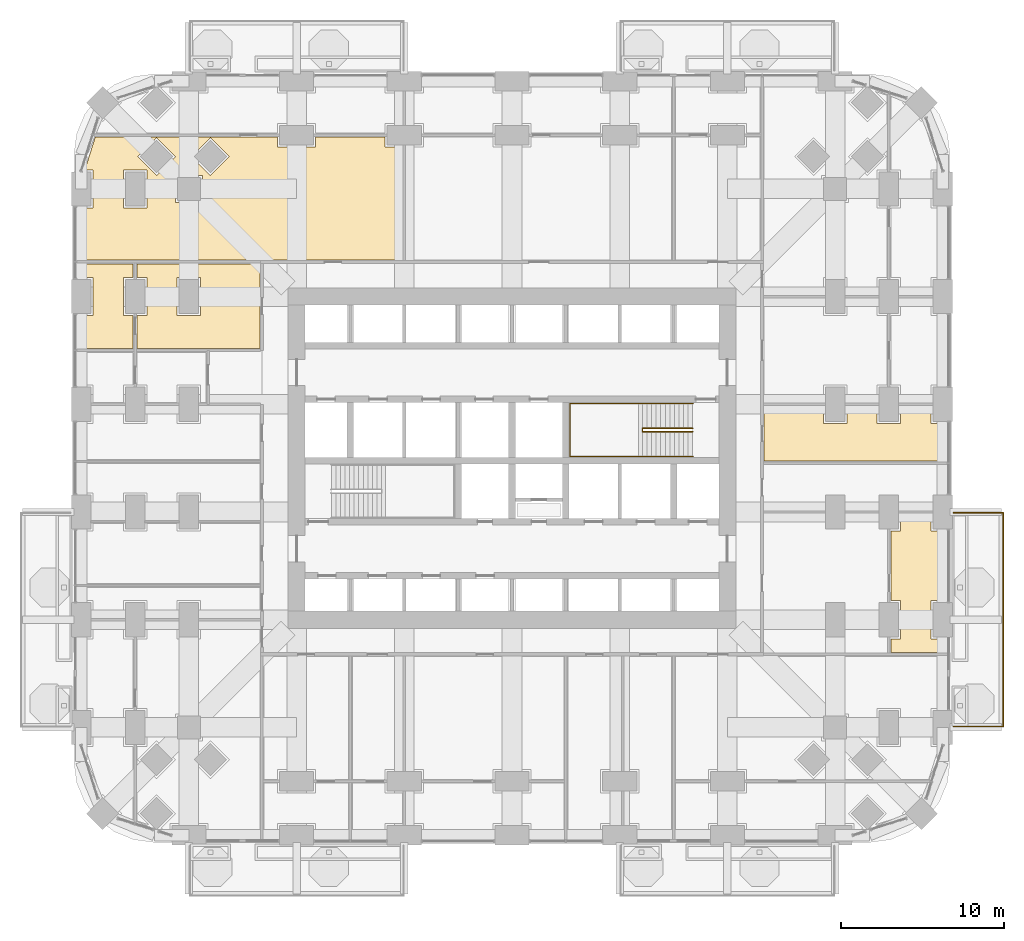
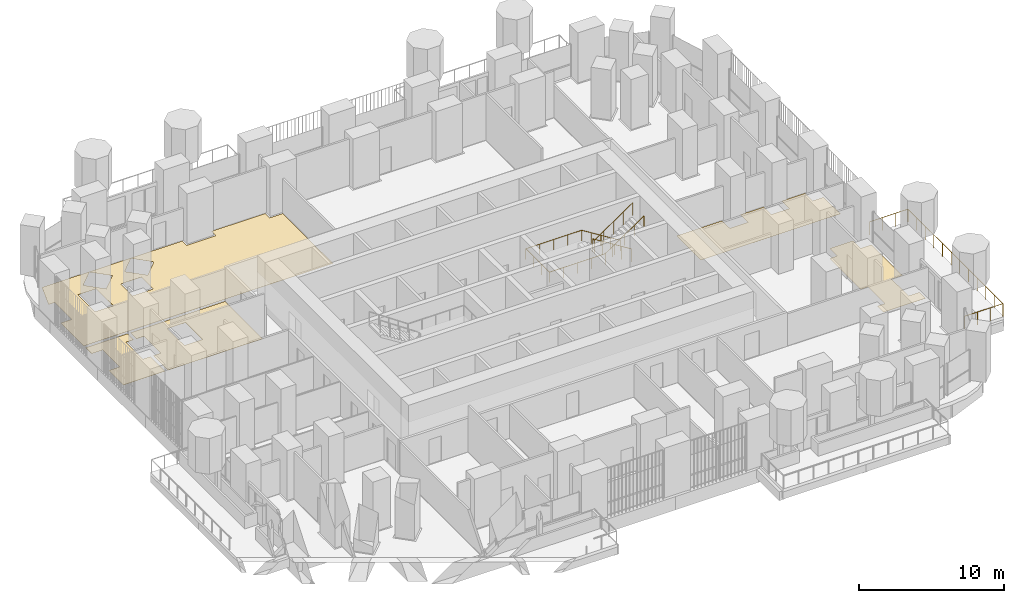
# One storey, part 25 of 27: 5 coverings, 3 railings.
"""IFC4 building model written with IfcOpenShell, lengths in metres."""

from ifc_helpers import new_model, si_unit, direction, frame, origin, place, context, subcontext, project, spatial, polyline, outline, extrude, material, layer, layer_set, type_object, element, save


model = new_model("IFC4")

# Units and contexts
model_context = context("Model", 3, precision=1e-05, world=origin(), true_north=direction((0.0, 1.0)))
body_context = subcontext(model_context, "Body", "Model", "MODEL_VIEW")
ifc_project = project(units=[si_unit("LENGTHUNIT", "METRE"), si_unit("AREAUNIT", "SQUARE_METRE"), si_unit("VOLUMEUNIT", "CUBIC_METRE"), si_unit("PLANEANGLEUNIT", "RADIAN"), si_unit("MASSUNIT", "GRAM", prefix="KILO")], contexts=[model_context])

# Site, building, storey
site_placement = place(None, origin())
site = spatial("IfcSite", under=ifc_project, at=site_placement, CompositionType="ELEMENT")
building_placement = place(site_placement, origin())
building = spatial("IfcBuilding", under=site, at=building_placement, Name="Cobogo Forest Laboratory Tower", CompositionType="ELEMENT")
storey_placement = place(building_placement, frame((0.0, 0.0, 46.5)))
storey = spatial("IfcBuildingStorey", under=building, at=storey_placement, Name="L10", CompositionType="ELEMENT", Elevation=46.5)

# Railing
ifc_material_1 = material(Name="Laminated glass balustrade", Category="glass")
railing_type_1 = type_object("IfcRailingType", Name="BG1 glass balustrade 1100", PredefinedType="GUARDRAIL", material=ifc_material_1)
railing_1_placement = place(storey_placement, frame((53.449951171875, 6.64990234375, 0.0)))
element("IfcRailing", 1, at=railing_1_placement, inside=storey, type_object=railing_type_1, Name="Balcony balustrade BAL-E1 L10", PredefinedType="GUARDRAIL", context=body_context, shape_type="SweptSolid", body=[
    extrude(outline(polyline([(0.022216796875, 0.00927734375), (0.00927734375, 0.022216796875), (-0.00927734375, 0.022216796875), (-0.022216796875, 0.00927734375), (-0.022216796875, -0.00927734375), (-0.00927734375, -0.022216796875), (0.00927734375, -0.022216796875), (0.022216796875, -0.00927734375), (0.022216796875, 0.00927734375)])), frame((0.0, 0.0, 1.077880859375), z_axis=(1.0, 0.0, 0.0), x_axis=(0.0, 1.0, 0.0)), (0.0, 0.0, 1.0), 3.050048828125),
    extrude(outline(polyline([(0.022216796875, 0.00927734375), (0.00927734375, 0.022216796875), (-0.00927734375, 0.022216796875), (-0.022216796875, 0.00927734375), (-0.022216796875, -0.00927734375), (-0.00927734375, -0.022216796875), (0.00927734375, -0.022216796875), (0.022216796875, -0.00927734375), (0.022216796875, 0.00927734375)])), frame((3.050048828125, 0.0, 1.077880859375), z_axis=(0.0, 1.0, 0.0), x_axis=(-1.0, 0.0, 0.0)), (0.0, 0.0, 1.0), 13.10009765625),
    extrude(outline(polyline([(0.022216796875, 0.00927734375), (0.00927734375, 0.022216796875), (-0.00927734375, 0.022216796875), (-0.022216796875, 0.00927734375), (-0.022216796875, -0.00927734375), (-0.00927734375, -0.022216796875), (0.00927734375, -0.022216796875), (0.022216796875, -0.00927734375), (0.022216796875, 0.00927734375)])), frame((3.050048828125, 13.10009765625, 1.077880859375), z_axis=(-1.0, 0.0, 0.0), x_axis=(0.0, -1.0, 0.0)), (0.0, 0.0, 1.0), 3.050048828125),
    extrude(outline(polyline([(0.019287109375, 0.008056640625), (0.008056640625, 0.019287109375), (-0.008056640625, 0.019287109375), (-0.019287109375, 0.008056640625), (-0.019287109375, -0.008056640625), (-0.008056640625, -0.019287109375), (0.008056640625, -0.019287109375), (0.019287109375, -0.008056640625), (0.019287109375, 0.008056640625)])), origin(), (0.0, 0.0, 1.0), 1.077880859375),
    extrude(outline(polyline([(0.019287109375, 0.008056640625), (0.008056640625, 0.019287109375), (-0.008056640625, 0.019287109375), (-0.019287109375, 0.008056640625), (-0.019287109375, -0.008056640625), (-0.008056640625, -0.019287109375), (0.008056640625, -0.019287109375), (0.019287109375, -0.008056640625), (0.019287109375, 0.008056640625)])), frame((1.0166015625, 0.0, 0.0)), (0.0, 0.0, 1.0), 1.077880859375),
    extrude(outline(polyline([(0.019287109375, 0.008056640625), (0.008056640625, 0.019287109375), (-0.008056640625, 0.019287109375), (-0.019287109375, 0.008056640625), (-0.019287109375, -0.008056640625), (-0.008056640625, -0.019287109375), (0.008056640625, -0.019287109375), (0.019287109375, -0.008056640625), (0.019287109375, 0.008056640625)])), frame((2.033447265625, 0.0, 0.0)), (0.0, 0.0, 1.0), 1.077880859375),
    extrude(outline(polyline([(0.019287109375, 0.008056640625), (0.008056640625, 0.019287109375), (-0.008056640625, 0.019287109375), (-0.019287109375, 0.008056640625), (-0.019287109375, -0.008056640625), (-0.008056640625, -0.019287109375), (0.008056640625, -0.019287109375), (0.019287109375, -0.008056640625), (0.019287109375, 0.008056640625)])), frame((3.050048828125, 0.0, 0.0)), (0.0, 0.0, 1.0), 1.077880859375),
    extrude(outline(polyline([(0.019287109375, 0.008056640625), (0.008056640625, 0.019287109375), (-0.008056640625, 0.019287109375), (-0.019287109375, 0.008056640625), (-0.019287109375, -0.008056640625), (-0.008056640625, -0.019287109375), (0.008056640625, -0.019287109375), (0.019287109375, -0.008056640625), (0.019287109375, 0.008056640625)])), frame((3.050048828125, 1.19091796875, 0.0)), (0.0, 0.0, 1.0), 1.077880859375),
    extrude(outline(polyline([(0.019287109375, 0.008056640625), (0.008056640625, 0.019287109375), (-0.008056640625, 0.019287109375), (-0.019287109375, 0.008056640625), (-0.019287109375, -0.008056640625), (-0.008056640625, -0.019287109375), (0.008056640625, -0.019287109375), (0.019287109375, -0.008056640625), (0.019287109375, 0.008056640625)])), frame((3.050048828125, 2.3818359375, 0.0)), (0.0, 0.0, 1.0), 1.077880859375),
    extrude(outline(polyline([(0.019287109375, 0.008056640625), (0.008056640625, 0.019287109375), (-0.008056640625, 0.019287109375), (-0.019287109375, 0.008056640625), (-0.019287109375, -0.008056640625), (-0.008056640625, -0.019287109375), (0.008056640625, -0.019287109375), (0.019287109375, -0.008056640625), (0.019287109375, 0.008056640625)])), frame((3.050048828125, 3.57275390625, 0.0)), (0.0, 0.0, 1.0), 1.077880859375),
    extrude(outline(polyline([(0.019287109375, 0.008056640625), (0.008056640625, 0.019287109375), (-0.008056640625, 0.019287109375), (-0.019287109375, 0.008056640625), (-0.019287109375, -0.008056640625), (-0.008056640625, -0.019287109375), (0.008056640625, -0.019287109375), (0.019287109375, -0.008056640625), (0.019287109375, 0.008056640625)])), frame((3.050048828125, 4.763671875, 0.0)), (0.0, 0.0, 1.0), 1.077880859375),
    extrude(outline(polyline([(0.019287109375, 0.008056640625), (0.008056640625, 0.019287109375), (-0.008056640625, 0.019287109375), (-0.019287109375, 0.008056640625), (-0.019287109375, -0.008056640625), (-0.008056640625, -0.019287109375), (0.008056640625, -0.019287109375), (0.019287109375, -0.008056640625), (0.019287109375, 0.008056640625)])), frame((3.050048828125, 5.95458984375, 0.0)), (0.0, 0.0, 1.0), 1.077880859375),
    extrude(outline(polyline([(0.019287109375, 0.008056640625), (0.008056640625, 0.019287109375), (-0.008056640625, 0.019287109375), (-0.019287109375, 0.008056640625), (-0.019287109375, -0.008056640625), (-0.008056640625, -0.019287109375), (0.008056640625, -0.019287109375), (0.019287109375, -0.008056640625), (0.019287109375, 0.008056640625)])), frame((3.050048828125, 7.1455078125, 0.0)), (0.0, 0.0, 1.0), 1.077880859375),
    extrude(outline(polyline([(0.019287109375, 0.008056640625), (0.008056640625, 0.019287109375), (-0.008056640625, 0.019287109375), (-0.019287109375, 0.008056640625), (-0.019287109375, -0.008056640625), (-0.008056640625, -0.019287109375), (0.008056640625, -0.019287109375), (0.019287109375, -0.008056640625), (0.019287109375, 0.008056640625)])), frame((3.050048828125, 8.33642578125, 0.0)), (0.0, 0.0, 1.0), 1.077880859375),
    extrude(outline(polyline([(0.019287109375, 0.008056640625), (0.008056640625, 0.019287109375), (-0.008056640625, 0.019287109375), (-0.019287109375, 0.008056640625), (-0.019287109375, -0.008056640625), (-0.008056640625, -0.019287109375), (0.008056640625, -0.019287109375), (0.019287109375, -0.008056640625), (0.019287109375, 0.008056640625)])), frame((3.050048828125, 9.52734375, 0.0)), (0.0, 0.0, 1.0), 1.077880859375),
    extrude(outline(polyline([(0.019287109375, 0.008056640625), (0.008056640625, 0.019287109375), (-0.008056640625, 0.019287109375), (-0.019287109375, 0.008056640625), (-0.019287109375, -0.008056640625), (-0.008056640625, -0.019287109375), (0.008056640625, -0.019287109375), (0.019287109375, -0.008056640625), (0.019287109375, 0.008056640625)])), frame((3.050048828125, 10.71826171875, 0.0)), (0.0, 0.0, 1.0), 1.077880859375),
    extrude(outline(polyline([(0.019287109375, 0.008056640625), (0.008056640625, 0.019287109375), (-0.008056640625, 0.019287109375), (-0.019287109375, 0.008056640625), (-0.019287109375, -0.008056640625), (-0.008056640625, -0.019287109375), (0.008056640625, -0.019287109375), (0.019287109375, -0.008056640625), (0.019287109375, 0.008056640625)])), frame((3.050048828125, 11.9091796875, 0.0)), (0.0, 0.0, 1.0), 1.077880859375),
    extrude(outline(polyline([(0.019287109375, 0.008056640625), (0.008056640625, 0.019287109375), (-0.008056640625, 0.019287109375), (-0.019287109375, 0.008056640625), (-0.019287109375, -0.008056640625), (-0.008056640625, -0.019287109375), (0.008056640625, -0.019287109375), (0.019287109375, -0.008056640625), (0.019287109375, 0.008056640625)])), frame((3.050048828125, 13.10009765625, 0.0)), (0.0, 0.0, 1.0), 1.077880859375),
    extrude(outline(polyline([(0.019287109375, 0.008056640625), (0.008056640625, 0.019287109375), (-0.008056640625, 0.019287109375), (-0.019287109375, 0.008056640625), (-0.019287109375, -0.008056640625), (-0.008056640625, -0.019287109375), (0.008056640625, -0.019287109375), (0.019287109375, -0.008056640625), (0.019287109375, 0.008056640625)])), frame((2.033447265625, 13.10009765625, 0.0)), (0.0, 0.0, 1.0), 1.077880859375),
    extrude(outline(polyline([(0.019287109375, 0.008056640625), (0.008056640625, 0.019287109375), (-0.008056640625, 0.019287109375), (-0.019287109375, 0.008056640625), (-0.019287109375, -0.008056640625), (-0.008056640625, -0.019287109375), (0.008056640625, -0.019287109375), (0.019287109375, -0.008056640625), (0.019287109375, 0.008056640625)])), frame((1.0166015625, 13.10009765625, 0.0)), (0.0, 0.0, 1.0), 1.077880859375),
    extrude(outline(polyline([(0.019287109375, 0.008056640625), (0.008056640625, 0.019287109375), (-0.008056640625, 0.019287109375), (-0.019287109375, 0.008056640625), (-0.019287109375, -0.008056640625), (-0.008056640625, -0.019287109375), (0.008056640625, -0.019287109375), (0.019287109375, -0.008056640625), (0.019287109375, 0.008056640625)])), frame((0.0, 13.10009765625, 0.0)), (0.0, 0.0, 1.0), 1.077880859375),
])

# Coverings
ifc_material_2 = material(Name="Carpet tile on raised access floor", Category="flooring")
ifc_layer_1 = layer(ifc_material_2, 0.008056640625)
ifc_layer_set_1 = layer_set([ifc_layer_1], Name="CT1 carpet tile floor 8")
covering_type_1 = type_object("IfcCoveringType", Name="CT1 carpet tile floor 8", PredefinedType="FLOORING", material=ifc_layer_set_1)
covering_1_placement = place(storey_placement, origin())
element("IfcCovering", 2, at=covering_1_placement, inside=storey, type_object=covering_type_1, Name="Carpet floor L10-12", PredefinedType="FLOORING", context=body_context, shape_type="SweptSolid", body=[
    extrude(outline(polyline([(49.6201171875, 12.030029296875), (50.219970703125, 12.030029296875), (50.219970703125, 14.3701171875), (49.6201171875, 14.3701171875), (49.6201171875, 18.6298828125), (50.219970703125, 18.6298828125), (50.219970703125, 19.679931640625), (52.080078125, 19.679931640625), (52.080078125, 18.6298828125), (52.949951171875, 18.6298828125), (52.949951171875, 14.3701171875), (52.080078125, 14.3701171875), (52.080078125, 12.030029296875), (52.949951171875, 12.030029296875), (52.949951171875, 11.195068359375), (49.6201171875, 11.195068359375), (49.6201171875, 12.030029296875)])), origin(), (0.0, 0.0, 1.0), 0.008056640625),
])
covering_2_placement = place(storey_placement, origin())
element("IfcCovering", 3, at=covering_2_placement, inside=storey, type_object=covering_type_1, Name="Carpet floor L10-34", PredefinedType="FLOORING", context=body_context, shape_type="SweptSolid", body=[
    extrude(outline(polyline([(3.179931640625, 34.169921875), (2.580078125, 34.169921875), (2.580078125, 31.830078125), (3.179931640625, 31.830078125), (3.179931640625, 29.820068359375), (-0.14990234375, 29.820068359375), (-0.14990234375, 31.830078125), (0.719970703125, 31.830078125), (0.719970703125, 34.169921875), (-0.14990234375, 34.169921875), (-0.14990234375, 35.0048828125), (3.179931640625, 35.0048828125), (3.179931640625, 34.169921875)])), origin(), (0.0, 0.0, 1.0), 0.008056640625),
])

# Railings
ifc_material_3 = material(Name="Steel balustrade", Category="steel")
railing_type_2 = type_object("IfcRailingType", Name="GR stair guard 1100", PredefinedType="GUARDRAIL", material=ifc_material_3)
railing_2_placement = place(storey_placement, frame((37.47509765625, 24.929931640625, 0.175048828125)))
element("IfcRailing", 4, at=railing_2_placement, inside=storey, type_object=railing_type_2, Name="Stair guard ST2 L10", PredefinedType="GUARDRAIL", context=body_context, shape_type="SweptSolid", body=[
    extrude(outline(polyline([(0.022216796875, 0.00927734375), (0.00927734375, 0.022216796875), (-0.00927734375, 0.022216796875), (-0.022216796875, 0.00927734375), (-0.022216796875, -0.00927734375), (-0.00927734375, -0.022216796875), (0.00927734375, -0.022216796875), (0.022216796875, -0.00927734375), (0.022216796875, 0.00927734375)])), frame((0.0, 0.0, 1.077880859375), z_axis=(-0.847998304005, 0.0, 0.529998940003), x_axis=(0.0, -1.0, 0.0)), (0.0, 0.0, 1.0), 3.632080078125),
    extrude(outline(polyline([(0.022216796875, 0.00927734375), (0.00927734375, 0.022216796875), (-0.00927734375, 0.022216796875), (-0.022216796875, 0.00927734375), (-0.022216796875, -0.00927734375), (-0.00927734375, -0.022216796875), (0.00927734375, -0.022216796875), (0.022216796875, -0.00927734375), (0.022216796875, 0.00927734375)])), frame((-3.080078125, 0.0, 3.0029296875), z_axis=(0.0, -1.0, 0.0), x_axis=(1.0, 0.0, 0.0)), (0.0, 0.0, 1.0), 0.2099609375),
    extrude(outline(polyline([(0.022216796875, 0.00927734375), (0.00927734375, 0.022216796875), (-0.00927734375, 0.022216796875), (-0.022216796875, 0.00927734375), (-0.022216796875, -0.00927734375), (-0.00927734375, -0.022216796875), (0.00927734375, -0.022216796875), (0.022216796875, -0.00927734375), (0.022216796875, 0.00927734375)])), frame((-3.080078125, -0.2099609375, 3.0029296875), z_axis=(0.826252282691, 0.0, 0.563300244406), x_axis=(0.0, 1.0, 0.0)), (0.0, 0.0, 1.0), 3.727783203125),
    extrude(outline(polyline([(0.019287109375, 0.008056640625), (0.008056640625, 0.019287109375), (-0.008056640625, 0.019287109375), (-0.019287109375, 0.008056640625), (-0.019287109375, -0.008056640625), (-0.008056640625, -0.019287109375), (0.008056640625, -0.019287109375), (0.019287109375, -0.008056640625), (0.019287109375, 0.008056640625)])), origin(), (0.0, 0.0, 1.0), 1.077880859375),
    extrude(outline(polyline([(0.019287109375, 0.008056640625), (0.008056640625, 0.019287109375), (-0.008056640625, 0.019287109375), (-0.019287109375, 0.008056640625), (-0.019287109375, -0.008056640625), (-0.008056640625, -0.019287109375), (0.008056640625, -0.019287109375), (0.019287109375, -0.008056640625), (0.019287109375, 0.008056640625)])), frame((-0.77001953125, 0.0, 0.481201171875)), (0.0, 0.0, 1.0), 1.077880859375),
    extrude(outline(polyline([(0.019287109375, 0.008056640625), (0.008056640625, 0.019287109375), (-0.008056640625, 0.019287109375), (-0.019287109375, 0.008056640625), (-0.019287109375, -0.008056640625), (-0.008056640625, -0.019287109375), (0.008056640625, -0.019287109375), (0.019287109375, -0.008056640625), (0.019287109375, 0.008056640625)])), frame((-1.5400390625, 0.0, 0.96240234375)), (0.0, 0.0, 1.0), 1.077880859375),
    extrude(outline(polyline([(0.019287109375, 0.008056640625), (0.008056640625, 0.019287109375), (-0.008056640625, 0.019287109375), (-0.019287109375, 0.008056640625), (-0.019287109375, -0.008056640625), (-0.008056640625, -0.019287109375), (0.008056640625, -0.019287109375), (0.019287109375, -0.008056640625), (0.019287109375, 0.008056640625)])), frame((-2.31005859375, 0.0, 1.44384765625)), (0.0, 0.0, 1.0), 1.077880859375),
    extrude(outline(polyline([(0.019287109375, 0.008056640625), (0.008056640625, 0.019287109375), (-0.008056640625, 0.019287109375), (-0.019287109375, 0.008056640625), (-0.019287109375, -0.008056640625), (-0.008056640625, -0.019287109375), (0.008056640625, -0.019287109375), (0.019287109375, -0.008056640625), (0.019287109375, 0.008056640625)])), frame((-3.080078125, 0.0, 1.925048828125)), (0.0, 0.0, 1.0), 1.077880859375),
    extrude(outline(polyline([(0.019287109375, 0.008056640625), (0.008056640625, 0.019287109375), (-0.008056640625, 0.019287109375), (-0.019287109375, 0.008056640625), (-0.019287109375, -0.008056640625), (-0.008056640625, -0.019287109375), (0.008056640625, -0.019287109375), (0.019287109375, -0.008056640625), (0.019287109375, 0.008056640625)])), frame((-3.080078125, -0.2099609375, 1.925048828125)), (0.0, 0.0, 1.0), 1.077880859375),
    extrude(outline(polyline([(0.019287109375, 0.008056640625), (0.008056640625, 0.019287109375), (-0.008056640625, 0.019287109375), (-0.019287109375, 0.008056640625), (-0.019287109375, -0.008056640625), (-0.008056640625, -0.019287109375), (0.008056640625, -0.019287109375), (0.019287109375, -0.008056640625), (0.019287109375, 0.008056640625)])), frame((-2.31005859375, -0.2099609375, 2.449951171875)), (0.0, 0.0, 1.0), 1.077880859375),
    extrude(outline(polyline([(0.019287109375, 0.008056640625), (0.008056640625, 0.019287109375), (-0.008056640625, 0.019287109375), (-0.019287109375, 0.008056640625), (-0.019287109375, -0.008056640625), (-0.008056640625, -0.019287109375), (0.008056640625, -0.019287109375), (0.019287109375, -0.008056640625), (0.019287109375, 0.008056640625)])), frame((-1.5400390625, -0.2099609375, 2.97509765625)), (0.0, 0.0, 1.0), 1.077880859375),
    extrude(outline(polyline([(0.019287109375, 0.008056640625), (0.008056640625, 0.019287109375), (-0.008056640625, 0.019287109375), (-0.019287109375, 0.008056640625), (-0.019287109375, -0.008056640625), (-0.008056640625, -0.019287109375), (0.008056640625, -0.019287109375), (0.019287109375, -0.008056640625), (0.019287109375, 0.008056640625)])), frame((-0.77001953125, -0.2099609375, 3.5)), (0.0, 0.0, 1.0), 1.077880859375),
    extrude(outline(polyline([(0.019287109375, 0.008056640625), (0.008056640625, 0.019287109375), (-0.008056640625, 0.019287109375), (-0.019287109375, 0.008056640625), (-0.019287109375, -0.008056640625), (-0.008056640625, -0.019287109375), (0.008056640625, -0.019287109375), (0.019287109375, -0.008056640625), (0.019287109375, 0.008056640625)])), frame((0.0, -0.2099609375, 4.02490234375)), (0.0, 0.0, 1.0), 1.077880859375),
])
ifc_material_4 = material(Name="Stainless steel handrail", Category="steel")
railing_type_3 = type_object("IfcRailingType", Name="HR handrail 900", PredefinedType="HANDRAIL", material=ifc_material_4)
railing_3_placement = place(storey_placement, frame((37.47509765625, 26.449951171875, 0.175048828125)))
element("IfcRailing", 5, at=railing_3_placement, inside=storey, type_object=railing_type_3, Name="Stair handrail ST2 L10", PredefinedType="HANDRAIL", context=body_context, shape_type="SweptSolid", body=[
    extrude(outline(polyline([(0.022216796875, 0.00927734375), (0.00927734375, 0.022216796875), (-0.00927734375, 0.022216796875), (-0.022216796875, 0.00927734375), (-0.022216796875, -0.00927734375), (-0.00927734375, -0.022216796875), (0.00927734375, -0.022216796875), (0.022216796875, -0.00927734375), (0.022216796875, 0.00927734375)])), frame((0.0, 0.0, 0.877685546875), z_axis=(-0.847998304005, 0.0, 0.529998940003), x_axis=(0.0, -1.0, 0.0)), (0.0, 0.0, 1.0), 3.632080078125),
    extrude(outline(polyline([(0.022216796875, 0.00927734375), (0.00927734375, 0.022216796875), (-0.00927734375, 0.022216796875), (-0.022216796875, 0.00927734375), (-0.022216796875, -0.00927734375), (-0.00927734375, -0.022216796875), (0.00927734375, -0.022216796875), (0.022216796875, -0.00927734375), (0.022216796875, 0.00927734375)])), frame((-3.080078125, 0.0, 2.802734375), z_axis=(-1.0, 0.0, 0.0), x_axis=(0.0, -1.0, 0.0)), (0.0, 0.0, 1.0), 4.445068359375),
    extrude(outline(polyline([(0.022216796875, 0.00927734375), (0.00927734375, 0.022216796875), (-0.00927734375, 0.022216796875), (-0.022216796875, 0.00927734375), (-0.022216796875, -0.00927734375), (-0.00927734375, -0.022216796875), (0.00927734375, -0.022216796875), (0.022216796875, -0.00927734375), (0.022216796875, 0.00927734375)])), frame((-7.525146484375, 0.0, 2.802734375), z_axis=(0.0, -1.0, 0.0), x_axis=(1.0, 0.0, 0.0)), (0.0, 0.0, 1.0), 3.25),
    extrude(outline(polyline([(0.022216796875, 0.00927734375), (0.00927734375, 0.022216796875), (-0.00927734375, 0.022216796875), (-0.022216796875, 0.00927734375), (-0.022216796875, -0.00927734375), (-0.00927734375, -0.022216796875), (0.00927734375, -0.022216796875), (0.022216796875, -0.00927734375), (0.022216796875, 0.00927734375)])), frame((-7.525146484375, -3.25, 2.802734375), z_axis=(1.0, 0.0, 0.0), x_axis=(0.0, 1.0, 0.0)), (0.0, 0.0, 1.0), 4.445068359375),
    extrude(outline(polyline([(0.022216796875, 0.00927734375), (0.00927734375, 0.022216796875), (-0.00927734375, 0.022216796875), (-0.022216796875, 0.00927734375), (-0.022216796875, -0.00927734375), (-0.00927734375, -0.022216796875), (0.00927734375, -0.022216796875), (0.022216796875, -0.00927734375), (0.022216796875, 0.00927734375)])), frame((-3.080078125, -3.25, 2.802734375), z_axis=(0.826252282691, 0.0, 0.563300244406), x_axis=(0.0, 1.0, 0.0)), (0.0, 0.0, 1.0), 3.727783203125),
    extrude(outline(polyline([(0.019287109375, 0.008056640625), (0.008056640625, 0.019287109375), (-0.008056640625, 0.019287109375), (-0.019287109375, 0.008056640625), (-0.019287109375, -0.008056640625), (-0.008056640625, -0.019287109375), (0.008056640625, -0.019287109375), (0.019287109375, -0.008056640625), (0.019287109375, 0.008056640625)])), origin(), (0.0, 0.0, 1.0), 0.877685546875),
    extrude(outline(polyline([(0.019287109375, 0.008056640625), (0.008056640625, 0.019287109375), (-0.008056640625, 0.019287109375), (-0.019287109375, 0.008056640625), (-0.019287109375, -0.008056640625), (-0.008056640625, -0.019287109375), (0.008056640625, -0.019287109375), (0.019287109375, -0.008056640625), (0.019287109375, 0.008056640625)])), frame((-0.77001953125, 0.0, 0.481201171875)), (0.0, 0.0, 1.0), 0.877685546875),
    extrude(outline(polyline([(0.019287109375, 0.008056640625), (0.008056640625, 0.019287109375), (-0.008056640625, 0.019287109375), (-0.019287109375, 0.008056640625), (-0.019287109375, -0.008056640625), (-0.008056640625, -0.019287109375), (0.008056640625, -0.019287109375), (0.019287109375, -0.008056640625), (0.019287109375, 0.008056640625)])), frame((-1.5400390625, 0.0, 0.96240234375)), (0.0, 0.0, 1.0), 0.877685546875),
    extrude(outline(polyline([(0.019287109375, 0.008056640625), (0.008056640625, 0.019287109375), (-0.008056640625, 0.019287109375), (-0.019287109375, 0.008056640625), (-0.019287109375, -0.008056640625), (-0.008056640625, -0.019287109375), (0.008056640625, -0.019287109375), (0.019287109375, -0.008056640625), (0.019287109375, 0.008056640625)])), frame((-2.31005859375, 0.0, 1.44384765625)), (0.0, 0.0, 1.0), 0.877685546875),
    extrude(outline(polyline([(0.019287109375, 0.008056640625), (0.008056640625, 0.019287109375), (-0.008056640625, 0.019287109375), (-0.019287109375, 0.008056640625), (-0.019287109375, -0.008056640625), (-0.008056640625, -0.019287109375), (0.008056640625, -0.019287109375), (0.019287109375, -0.008056640625), (0.019287109375, 0.008056640625)])), frame((-3.080078125, 0.0, 1.925048828125)), (0.0, 0.0, 1.0), 0.877685546875),
    extrude(outline(polyline([(0.019287109375, 0.008056640625), (0.008056640625, 0.019287109375), (-0.008056640625, 0.019287109375), (-0.019287109375, 0.008056640625), (-0.019287109375, -0.008056640625), (-0.008056640625, -0.019287109375), (0.008056640625, -0.019287109375), (0.019287109375, -0.008056640625), (0.019287109375, 0.008056640625)])), frame((-4.19140625, 0.0, 1.925048828125)), (0.0, 0.0, 1.0), 0.877685546875),
    extrude(outline(polyline([(0.019287109375, 0.008056640625), (0.008056640625, 0.019287109375), (-0.008056640625, 0.019287109375), (-0.019287109375, 0.008056640625), (-0.019287109375, -0.008056640625), (-0.008056640625, -0.019287109375), (0.008056640625, -0.019287109375), (0.019287109375, -0.008056640625), (0.019287109375, 0.008056640625)])), frame((-5.302734375, 0.0, 1.925048828125)), (0.0, 0.0, 1.0), 0.877685546875),
    extrude(outline(polyline([(0.019287109375, 0.008056640625), (0.008056640625, 0.019287109375), (-0.008056640625, 0.019287109375), (-0.019287109375, 0.008056640625), (-0.019287109375, -0.008056640625), (-0.008056640625, -0.019287109375), (0.008056640625, -0.019287109375), (0.019287109375, -0.008056640625), (0.019287109375, 0.008056640625)])), frame((-6.413818359375, 0.0, 1.925048828125)), (0.0, 0.0, 1.0), 0.877685546875),
    extrude(outline(polyline([(0.019287109375, 0.008056640625), (0.008056640625, 0.019287109375), (-0.008056640625, 0.019287109375), (-0.019287109375, 0.008056640625), (-0.019287109375, -0.008056640625), (-0.008056640625, -0.019287109375), (0.008056640625, -0.019287109375), (0.019287109375, -0.008056640625), (0.019287109375, 0.008056640625)])), frame((-7.525146484375, 0.0, 1.925048828125)), (0.0, 0.0, 1.0), 0.877685546875),
    extrude(outline(polyline([(0.019287109375, 0.008056640625), (0.008056640625, 0.019287109375), (-0.008056640625, 0.019287109375), (-0.019287109375, 0.008056640625), (-0.019287109375, -0.008056640625), (-0.008056640625, -0.019287109375), (0.008056640625, -0.019287109375), (0.019287109375, -0.008056640625), (0.019287109375, 0.008056640625)])), frame((-7.525146484375, -1.083251953125, 1.925048828125)), (0.0, 0.0, 1.0), 0.877685546875),
    extrude(outline(polyline([(0.019287109375, 0.008056640625), (0.008056640625, 0.019287109375), (-0.008056640625, 0.019287109375), (-0.019287109375, 0.008056640625), (-0.019287109375, -0.008056640625), (-0.008056640625, -0.019287109375), (0.008056640625, -0.019287109375), (0.019287109375, -0.008056640625), (0.019287109375, 0.008056640625)])), frame((-7.525146484375, -2.166748046875, 1.925048828125)), (0.0, 0.0, 1.0), 0.877685546875),
    extrude(outline(polyline([(0.019287109375, 0.008056640625), (0.008056640625, 0.019287109375), (-0.008056640625, 0.019287109375), (-0.019287109375, 0.008056640625), (-0.019287109375, -0.008056640625), (-0.008056640625, -0.019287109375), (0.008056640625, -0.019287109375), (0.019287109375, -0.008056640625), (0.019287109375, 0.008056640625)])), frame((-7.525146484375, -3.25, 1.925048828125)), (0.0, 0.0, 1.0), 0.877685546875),
    extrude(outline(polyline([(0.019287109375, 0.008056640625), (0.008056640625, 0.019287109375), (-0.008056640625, 0.019287109375), (-0.019287109375, 0.008056640625), (-0.019287109375, -0.008056640625), (-0.008056640625, -0.019287109375), (0.008056640625, -0.019287109375), (0.019287109375, -0.008056640625), (0.019287109375, 0.008056640625)])), frame((-6.413818359375, -3.25, 1.925048828125)), (0.0, 0.0, 1.0), 0.877685546875),
    extrude(outline(polyline([(0.019287109375, 0.008056640625), (0.008056640625, 0.019287109375), (-0.008056640625, 0.019287109375), (-0.019287109375, 0.008056640625), (-0.019287109375, -0.008056640625), (-0.008056640625, -0.019287109375), (0.008056640625, -0.019287109375), (0.019287109375, -0.008056640625), (0.019287109375, 0.008056640625)])), frame((-5.302734375, -3.25, 1.925048828125)), (0.0, 0.0, 1.0), 0.877685546875),
    extrude(outline(polyline([(0.019287109375, 0.008056640625), (0.008056640625, 0.019287109375), (-0.008056640625, 0.019287109375), (-0.019287109375, 0.008056640625), (-0.019287109375, -0.008056640625), (-0.008056640625, -0.019287109375), (0.008056640625, -0.019287109375), (0.019287109375, -0.008056640625), (0.019287109375, 0.008056640625)])), frame((-4.19140625, -3.25, 1.925048828125)), (0.0, 0.0, 1.0), 0.877685546875),
    extrude(outline(polyline([(0.019287109375, 0.008056640625), (0.008056640625, 0.019287109375), (-0.008056640625, 0.019287109375), (-0.019287109375, 0.008056640625), (-0.019287109375, -0.008056640625), (-0.008056640625, -0.019287109375), (0.008056640625, -0.019287109375), (0.019287109375, -0.008056640625), (0.019287109375, 0.008056640625)])), frame((-3.080078125, -3.25, 1.925048828125)), (0.0, 0.0, 1.0), 0.877685546875),
    extrude(outline(polyline([(0.019287109375, 0.008056640625), (0.008056640625, 0.019287109375), (-0.008056640625, 0.019287109375), (-0.019287109375, 0.008056640625), (-0.019287109375, -0.008056640625), (-0.008056640625, -0.019287109375), (0.008056640625, -0.019287109375), (0.019287109375, -0.008056640625), (0.019287109375, 0.008056640625)])), frame((-2.31005859375, -3.25, 2.449951171875)), (0.0, 0.0, 1.0), 0.877685546875),
    extrude(outline(polyline([(0.019287109375, 0.008056640625), (0.008056640625, 0.019287109375), (-0.008056640625, 0.019287109375), (-0.019287109375, 0.008056640625), (-0.019287109375, -0.008056640625), (-0.008056640625, -0.019287109375), (0.008056640625, -0.019287109375), (0.019287109375, -0.008056640625), (0.019287109375, 0.008056640625)])), frame((-1.5400390625, -3.25, 2.97509765625)), (0.0, 0.0, 1.0), 0.877685546875),
    extrude(outline(polyline([(0.019287109375, 0.008056640625), (0.008056640625, 0.019287109375), (-0.008056640625, 0.019287109375), (-0.019287109375, 0.008056640625), (-0.019287109375, -0.008056640625), (-0.008056640625, -0.019287109375), (0.008056640625, -0.019287109375), (0.019287109375, -0.008056640625), (0.019287109375, 0.008056640625)])), frame((-0.77001953125, -3.25, 3.5)), (0.0, 0.0, 1.0), 0.877685546875),
    extrude(outline(polyline([(0.019287109375, 0.008056640625), (0.008056640625, 0.019287109375), (-0.008056640625, 0.019287109375), (-0.019287109375, 0.008056640625), (-0.019287109375, -0.008056640625), (-0.008056640625, -0.019287109375), (0.008056640625, -0.019287109375), (0.019287109375, -0.008056640625), (0.019287109375, 0.008056640625)])), frame((0.0, -3.25, 4.02490234375)), (0.0, 0.0, 1.0), 0.877685546875),
])

# Coverings
ifc_material_5 = material(Name="Epoxy resin flooring", Category="flooring")
ifc_layer_2 = layer(ifc_material_5, 0.00390625)
ifc_layer_set_2 = layer_set([ifc_layer_2], Name="LF1 epoxy laboratory floor 4")
covering_type_2 = type_object("IfcCoveringType", Name="LF1 epoxy laboratory floor 4", PredefinedType="FLOORING", material=ifc_layer_set_2)
covering_3_placement = place(storey_placement, origin())
element("IfcCovering", 6, at=covering_3_placement, inside=storey, type_object=covering_type_2, Name="Epoxy laboratory floor L10-19", PredefinedType="FLOORING", context=body_context, shape_type="SweptSolid", body=[
    extrude(outline(polyline([(19.679931640625, 35.2451171875), (-0.14990234375, 35.2451171875), (-0.14990234375, 38.429931640625), (0.719970703125, 38.429931640625), (0.719970703125, 40.77001953125), (0.229248046875, 40.77001953125), (0.864013671875, 42.780029296875), (12.030029296875, 42.780029296875), (12.030029296875, 42.179931640625), (14.3701171875, 42.179931640625), (14.3701171875, 42.780029296875), (18.6298828125, 42.780029296875), (18.6298828125, 42.179931640625), (19.679931640625, 42.179931640625), (19.679931640625, 35.2451171875)]), holes=[polyline([(6.75830078125, 41.58203125), (7.91796875, 40.42236328125), (9.07763671875, 41.58203125), (7.91796875, 42.74169921875), (6.75830078125, 41.58203125)]), polyline([(5.780029296875, 40.419921875), (5.780029296875, 38.780029296875), (7.419921875, 38.780029296875), (7.419921875, 40.419921875), (5.780029296875, 40.419921875)]), polyline([(3.458251953125, 41.58203125), (4.617919921875, 40.42236328125), (5.777587890625, 41.58203125), (4.617919921875, 42.74169921875), (3.458251953125, 41.58203125)]), polyline([(2.580078125, 38.429931640625), (4.02001953125, 38.429931640625), (4.02001953125, 40.77001953125), (2.580078125, 40.77001953125), (2.580078125, 38.429931640625)])]), origin(), (0.0, 0.0, 1.0), 0.00390625),
])
ifc_material_6 = material(Name="Static-dissipative vinyl flooring", Category="flooring")
ifc_layer_3 = layer(ifc_material_6, 0.0029296875)
ifc_layer_set_3 = layer_set([ifc_layer_3], Name="SD1 static-dissipative vinyl floor 3")
covering_type_3 = type_object("IfcCoveringType", Name="SD1 static-dissipative vinyl floor 3", PredefinedType="FLOORING", material=ifc_layer_set_3)
covering_4_placement = place(storey_placement, origin())
element("IfcCovering", 7, at=covering_4_placement, inside=storey, type_object=covering_type_3, Name="Static-dissipative floor L10-14", PredefinedType="FLOORING", context=body_context, shape_type="SweptSolid", body=[
    extrude(outline(polyline([(41.844970703125, 26.280029296875), (45.47998046875, 26.280029296875), (45.47998046875, 25.22998046875), (46.919921875, 25.22998046875), (46.919921875, 26.280029296875), (48.780029296875, 26.280029296875), (48.780029296875, 25.22998046875), (50.219970703125, 25.22998046875), (50.219970703125, 26.280029296875), (52.080078125, 26.280029296875), (52.080078125, 25.22998046875), (52.949951171875, 25.22998046875), (52.949951171875, 22.919921875), (41.844970703125, 22.919921875), (41.844970703125, 26.280029296875)])), origin(), (0.0, 0.0, 1.0), 0.0029296875),
])
ifc_material_7 = material(Name="Ceramic floor tile", Category="flooring")
ifc_layer_4 = layer(ifc_material_7, 0.010009765625)
ifc_layer_set_4 = layer_set([ifc_layer_4], Name="TF1 ceramic tile floor 10")
covering_type_4 = type_object("IfcCoveringType", Name="TF1 ceramic tile floor 10", PredefinedType="FLOORING", material=ifc_layer_set_4)
covering_5_placement = place(storey_placement, origin())
element("IfcCovering", 8, at=covering_5_placement, inside=storey, type_object=covering_type_4, Name="Tile floor L10-33", PredefinedType="FLOORING", context=body_context, shape_type="SweptSolid", body=[
    extrude(outline(polyline([(3.419921875, 31.830078125), (4.02001953125, 31.830078125), (4.02001953125, 34.169921875), (3.419921875, 34.169921875), (3.419921875, 35.0048828125), (10.955078125, 35.0048828125), (10.955078125, 29.820068359375), (3.419921875, 29.820068359375), (3.419921875, 31.830078125)]), holes=[polyline([(5.8798828125, 31.830078125), (7.320068359375, 31.830078125), (7.320068359375, 34.169921875), (5.8798828125, 34.169921875), (5.8798828125, 31.830078125)])]), origin(), (0.0, 0.0, 1.0), 0.010009765625),
])

save(model, "model.ifc")
